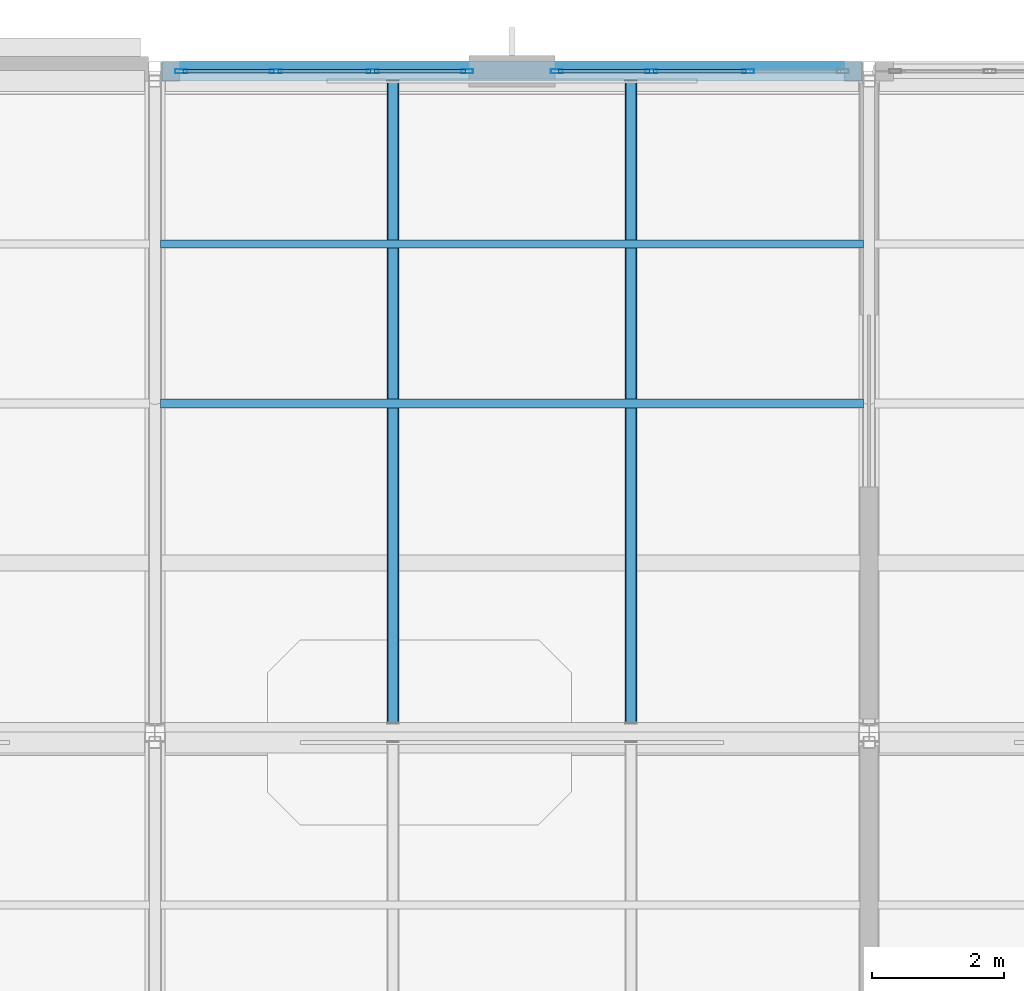
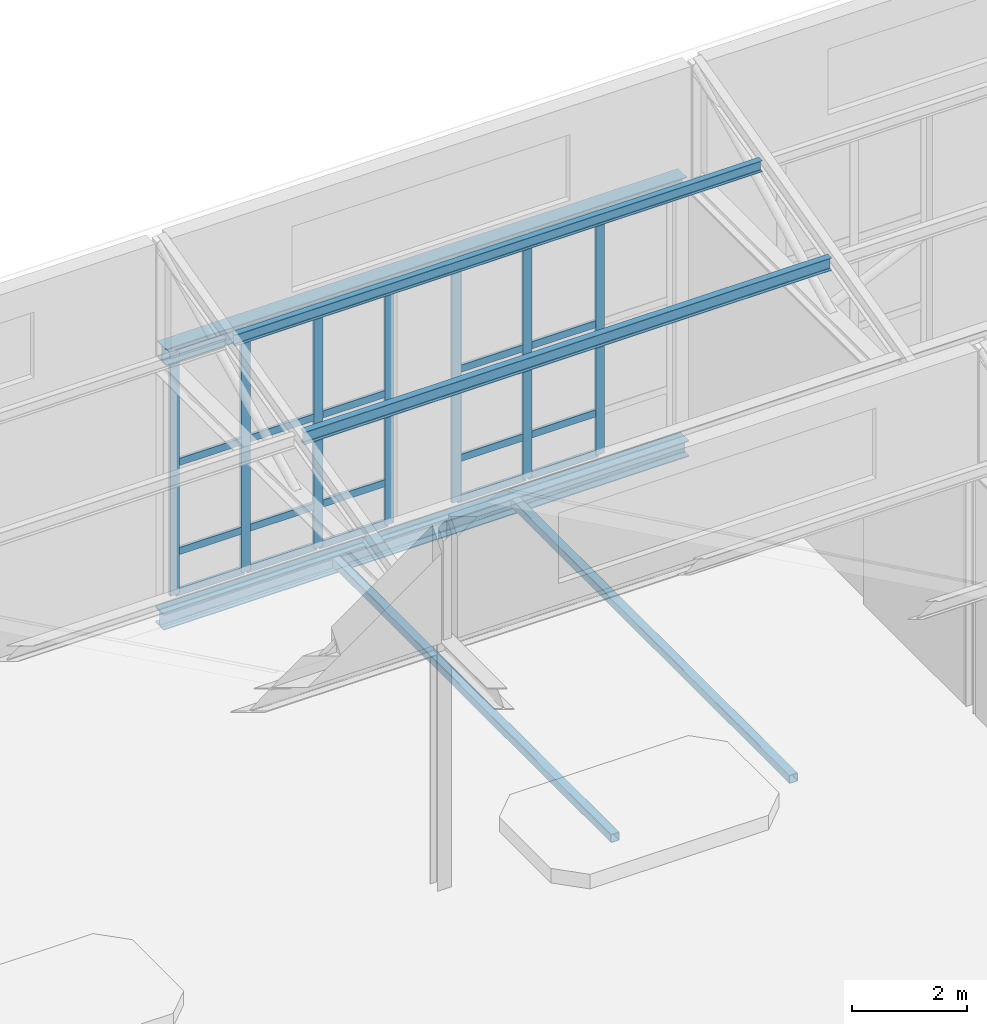
# One storey, part 24 of 49: 29 members, 4 beams, 2 elements without a shape of their own.
"""IFC4 building model written with IfcOpenShell, lengths in metres."""

from ifc_helpers import new_model, si_unit, direction, frame, origin, origin_2d, place, context, subcontext, project, spatial, hollow_rectangle, i_section, extrude, material, layer, layer_set, material_profile, profile_set, type_object, element, aggregate, save


model = new_model("IFC4")

# Units and contexts
model_context = context("Model", 3, precision=1e-05, world=origin(), true_north=direction((0.0, 1.0)))
body_context = subcontext(model_context, "Body", "Model", "MODEL_VIEW")
ifc_project = project(units=[si_unit("LENGTHUNIT", "METRE"), si_unit("AREAUNIT", "SQUARE_METRE"), si_unit("VOLUMEUNIT", "CUBIC_METRE"), si_unit("PLANEANGLEUNIT", "RADIAN"), si_unit("MASSUNIT", "GRAM", prefix="KILO")], contexts=[model_context])

# Site, building, storey
site_placement = place(None, origin())
site = spatial("IfcSite", under=ifc_project, at=site_placement, CompositionType="ELEMENT")
building_placement = place(site_placement, origin())
building = spatial("IfcBuilding", under=site, at=building_placement, Name="Tasgan Crest Museum", CompositionType="ELEMENT")
storey_placement = place(building_placement, frame((0.0, 0.0, 28.800048828125)))
storey = spatial("IfcBuildingStorey", under=building, at=storey_placement, Name="L05", CompositionType="ELEMENT", Elevation=28.800048828125)

# Beams
ifc_material_1 = material(Name="Steel S355J2", Category="steel")
ifc_material_profile_1 = material_profile(ifc_material_1, i_section(OverallWidth=0.300048828125, OverallDepth=0.35009765625, WebThickness=0.009521484375, FlangeThickness=0.017578125, FilletRadius=0.027099609375, at=origin_2d()), Name="HEA 360")
ifc_profile_set_1 = profile_set([ifc_material_profile_1], Name="Steel S355J2")
beam_type_1 = type_object("IfcBeamType", Name="BM-G-HEA360", PredefinedType="BEAM", material=ifc_profile_set_1)
beam_1_placement = place(storey_placement, frame((54.14990234375, 112.0, 5.219970703125), z_axis=(1.0, 0.0, 0.0), x_axis=(0.0, 1.0, 0.0)))
element("IfcBeam", 1, at=beam_1_placement, inside=storey, type_object=beam_type_1, Name="Sawtooth north eave girder 54.0-64.8", PredefinedType="BEAM", context=body_context, shape_type="SweptSolid", body=[
    extrude(i_section(OverallWidth=0.300048828125, OverallDepth=0.35009765625, WebThickness=0.009521484375, FlangeThickness=0.017578125, FilletRadius=0.027099609375, at=origin_2d()), origin(), (0.0, 0.0, 1.0), 10.5),
])
ifc_material_2 = material(Name="Steel S355J2", Category="steel")
ifc_material_profile_2 = material_profile(ifc_material_2, i_section(OverallWidth=0.300048828125, OverallDepth=0.340087890625, WebThickness=0.011962890625, FlangeThickness=0.021484375, FilletRadius=0.027099609375, at=origin_2d()), Name="HEB 340")
ifc_profile_set_2 = profile_set([ifc_material_profile_2], Name="Steel S355J2")
beam_type_2 = type_object("IfcBeamType", Name="BM-G-HEB340", PredefinedType="BEAM", material=ifc_profile_set_2)
beam_2_placement = place(storey_placement, frame((54.10595703125, 112.0, -0.41015625), z_axis=(1.0, 0.0, 0.0), x_axis=(0.0, 1.0, 0.0)))
element("IfcBeam", 2, at=beam_2_placement, inside=storey, type_object=beam_type_2, Name="Girder L05 M 54.0-64.8", PredefinedType="BEAM", context=body_context, shape_type="SweptSolid", body=[
    extrude(i_section(OverallWidth=0.300048828125, OverallDepth=0.340087890625, WebThickness=0.011962890625, FlangeThickness=0.021484375, FilletRadius=0.027099609375, at=origin_2d()), origin(), (0.0, 0.0, 1.0), 10.588134765625),
])
ifc_material_3 = material(Name="Steel S355J2", Category="steel")
ifc_material_profile_3 = material_profile(ifc_material_3, hollow_rectangle(XDim=0.179931640625, YDim=0.179931640625, WallThickness=0.010009765625, InnerFilletRadius=0.010009765625, OuterFilletRadius=0.02001953125, at=origin_2d()), Name="SHS 180x180x10")
ifc_profile_set_3 = profile_set([ifc_material_profile_3], Name="Steel S355J2")
beam_type_3 = type_object("IfcBeamType", Name="BM-J-SHS180", PredefinedType="JOIST", material=ifc_profile_set_3)
for number, where, z_axis, x_axis, name in (
    (3, (57.60009765625, 102.14501953125, -0.330078125), (0.0, 1.0, 0.0), (-1.0, 0.0, 0.0), "Secondary joist L05 X=57.6 Y=102.0-112.0"),
    (4, (61.199951171875, 102.14501953125, -0.330078125), (0.0, 1.0, 0.0), (-1.0, 0.0, 0.0), "Secondary joist L05 X=61.2 Y=102.0-112.0"),
):
    element("IfcBeam", number, at=place(storey_placement, frame(where, z_axis=z_axis, x_axis=x_axis)), inside=storey, type_object=beam_type_3, Name=name, PredefinedType="JOIST", context=body_context, shape_type="SweptSolid", body=[
        extrude(hollow_rectangle(XDim=0.179931640625, YDim=0.179931640625, WallThickness=0.010009765625, InnerFilletRadius=0.010009765625, OuterFilletRadius=0.02001953125, at=origin_2d()), origin(), (0.0, 0.0, 1.0), 9.7099609375),
    ])

# Curtain wall, members
ifc_material_4 = material(Name="Triple-Glazed Aluminium Curtain Wall", Category="aluminium")
ifc_layer = layer(ifc_material_4, 0.179931640625, Name="CW-CORE-STRIP-54")
ifc_layer_set = layer_set([ifc_layer], Name="Triple-Glazed Aluminium Curtain Wall")
curtain_wall_type = type_object("IfcCurtainWallType", Name="CW-CORE-STRIP-54", PredefinedType="NOTDEFINED", material=ifc_layer_set)
curtain_wall_1_placement = place(storey_placement, origin())
curtain_wall_1 = element("IfcCurtainWall", 5, at=curtain_wall_1_placement, inside=storey, type_object=curtain_wall_type, Name="Curtain wall L05 203", PredefinedType="NOTDEFINED")
ifc_material_5 = material(Name="Anodised Aluminium", Category="aluminium")
ifc_material_profile_4 = material_profile(ifc_material_5, hollow_rectangle(XDim=0.06494140625, YDim=0.179931640625, WallThickness=0.0048828125, at=origin_2d()), Name="ALU MULLION 180x65x5")
ifc_profile_set_4 = profile_set([ifc_material_profile_4], Name="Anodised Aluminium")
member_type_1 = type_object("IfcMemberType", Name="CW-MULLION-180", PredefinedType="MULLION", material=ifc_profile_set_4)
member_1_placement = place(storey_placement, frame((62.9716796875, 112.0, 0.0), z_axis=(0.0, 0.0, 1.0), x_axis=(0.0, -1.0, 0.0)))
member_1 = element("IfcMember", 6, at=member_1_placement, type_object=member_type_1, Name="CW21 mullion 2", PredefinedType="MULLION", context=body_context, shape_type="SweptSolid", body=[
    extrude(hollow_rectangle(XDim=0.06494140625, YDim=0.179931640625, WallThickness=0.0048828125, at=origin_2d()), origin(), (0.0, 0.0, 1.0), 5.159912109375),
])
member_2_placement = place(storey_placement, frame((61.50830078125, 112.0, 0.0), z_axis=(0.0, 0.0, 1.0), x_axis=(0.0, -1.0, 0.0)))
member_2 = element("IfcMember", 7, at=member_2_placement, type_object=member_type_1, Name="CW21 mullion 3", PredefinedType="MULLION", context=body_context, shape_type="SweptSolid", body=[
    extrude(hollow_rectangle(XDim=0.06494140625, YDim=0.179931640625, WallThickness=0.0048828125, at=origin_2d()), origin(), (0.0, 0.0, 1.0), 5.159912109375),
])
member_3_placement = place(storey_placement, frame((60.074951171875, 112.0, 0.0), z_axis=(0.0, 0.0, 1.0), x_axis=(0.0, -1.0, 0.0)))
member_3 = element("IfcMember", 8, at=member_3_placement, type_object=member_type_1, Name="CW21 mullion 4", PredefinedType="MULLION", context=body_context, shape_type="SweptSolid", body=[
    extrude(hollow_rectangle(XDim=0.06494140625, YDim=0.179931640625, WallThickness=0.0048828125, at=origin_2d()), origin(), (0.0, 0.0, 1.0), 5.159912109375),
])

curtain_wall_2_placement = place(storey_placement, origin())
curtain_wall_2 = element("IfcCurtainWall", 9, at=curtain_wall_2_placement, inside=storey, type_object=curtain_wall_type, Name="Curtain wall L05 204", PredefinedType="NOTDEFINED")
member_4_placement = place(storey_placement, frame((58.72509765625, 112.0, 0.0), z_axis=(0.0, 0.0, 1.0), x_axis=(0.0, -1.0, 0.0)))
member_4 = element("IfcMember", 10, at=member_4_placement, type_object=member_type_1, Name="CW21 mullion 1", PredefinedType="MULLION", context=body_context, shape_type="SweptSolid", body=[
    extrude(hollow_rectangle(XDim=0.06494140625, YDim=0.179931640625, WallThickness=0.0048828125, at=origin_2d()), origin(), (0.0, 0.0, 1.0), 5.159912109375),
])
member_5_placement = place(storey_placement, frame((57.291748046875, 112.0, 0.0), z_axis=(0.0, 0.0, 1.0), x_axis=(0.0, -1.0, 0.0)))
member_5 = element("IfcMember", 11, at=member_5_placement, type_object=member_type_1, Name="CW21 mullion 2", PredefinedType="MULLION", context=body_context, shape_type="SweptSolid", body=[
    extrude(hollow_rectangle(XDim=0.06494140625, YDim=0.179931640625, WallThickness=0.0048828125, at=origin_2d()), origin(), (0.0, 0.0, 1.0), 5.159912109375),
])
member_6_placement = place(storey_placement, frame((55.828369140625, 112.0, 0.0), z_axis=(0.0, 0.0, 1.0), x_axis=(0.0, -1.0, 0.0)))
member_6 = element("IfcMember", 12, at=member_6_placement, type_object=member_type_1, Name="CW21 mullion 3", PredefinedType="MULLION", context=body_context, shape_type="SweptSolid", body=[
    extrude(hollow_rectangle(XDim=0.06494140625, YDim=0.179931640625, WallThickness=0.0048828125, at=origin_2d()), origin(), (0.0, 0.0, 1.0), 5.159912109375),
])
member_7_placement = place(storey_placement, frame((54.39501953125, 112.0, 0.0), z_axis=(0.0, 0.0, 1.0), x_axis=(0.0, -1.0, 0.0)))
member_7 = element("IfcMember", 13, at=member_7_placement, type_object=member_type_1, Name="CW21 mullion 4", PredefinedType="MULLION", context=body_context, shape_type="SweptSolid", body=[
    extrude(hollow_rectangle(XDim=0.06494140625, YDim=0.179931640625, WallThickness=0.0048828125, at=origin_2d()), origin(), (0.0, 0.0, 1.0), 5.159912109375),
])

# Member
ifc_material_6 = material(Name="Anodised Aluminium", Category="aluminium")
ifc_material_profile_5 = material_profile(ifc_material_6, hollow_rectangle(XDim=0.06005859375, YDim=0.14990234375, WallThickness=0.0048828125, at=origin_2d()), Name="ALU TRANSOM 150x60x5")
ifc_profile_set_5 = profile_set([ifc_material_profile_5], Name="Anodised Aluminium")
member_type_2 = type_object("IfcMemberType", Name="CW-TRANSOM-150", PredefinedType="USERDEFINED", material=ifc_profile_set_5)
member_8_placement = place(storey_placement, frame((62.941650390625, 112.0, 0.030029296875), z_axis=(-1.0, 0.0, 0.0), x_axis=(0.0, -1.0, 0.0)))
member_8 = element("IfcMember", 14, at=member_8_placement, type_object=member_type_2, Name="CW21 transom 2.1", ObjectType="TRANSOM", PredefinedType="USERDEFINED", context=body_context, shape_type="SweptSolid", body=[
    extrude(hollow_rectangle(XDim=0.06005859375, YDim=0.14990234375, WallThickness=0.0048828125, at=origin_2d()), origin(), (0.0, 0.0, 1.0), 1.4033203125),
])

member_9_placement = place(storey_placement, frame((62.941650390625, 112.0, 0.89990234375), z_axis=(-1.0, 0.0, 0.0), x_axis=(0.0, -1.0, 0.0)))
member_9 = element("IfcMember", 15, at=member_9_placement, type_object=member_type_2, Name="CW21 transom 2.2", ObjectType="TRANSOM", PredefinedType="USERDEFINED", context=body_context, shape_type="SweptSolid", body=[
    extrude(hollow_rectangle(XDim=0.06005859375, YDim=0.14990234375, WallThickness=0.0048828125, at=origin_2d()), origin(), (0.0, 0.0, 1.0), 1.4033203125),
])

member_10_placement = place(storey_placement, frame((62.941650390625, 112.0, 2.800048828125), z_axis=(-1.0, 0.0, 0.0), x_axis=(0.0, -1.0, 0.0)))
member_10 = element("IfcMember", 16, at=member_10_placement, type_object=member_type_2, Name="CW21 transom 2.3", ObjectType="TRANSOM", PredefinedType="USERDEFINED", context=body_context, shape_type="SweptSolid", body=[
    extrude(hollow_rectangle(XDim=0.06005859375, YDim=0.14990234375, WallThickness=0.0048828125, at=origin_2d()), origin(), (0.0, 0.0, 1.0), 1.4033203125),
])

member_11_placement = place(storey_placement, frame((62.941650390625, 112.0, 5.1298828125), z_axis=(-1.0, 0.0, 0.0), x_axis=(0.0, -1.0, 0.0)))
member_11 = element("IfcMember", 17, at=member_11_placement, type_object=member_type_2, Name="CW21 transom 2.4", ObjectType="TRANSOM", PredefinedType="USERDEFINED", context=body_context, shape_type="SweptSolid", body=[
    extrude(hollow_rectangle(XDim=0.06005859375, YDim=0.14990234375, WallThickness=0.0048828125, at=origin_2d()), origin(), (0.0, 0.0, 1.0), 1.4033203125),
])

member_12_placement = place(storey_placement, frame((61.478271484375, 112.0, 0.030029296875), z_axis=(-1.0, 0.0, 0.0), x_axis=(0.0, -1.0, 0.0)))
member_12 = element("IfcMember", 18, at=member_12_placement, type_object=member_type_2, Name="CW21 transom 3.1", ObjectType="TRANSOM", PredefinedType="USERDEFINED", context=body_context, shape_type="SweptSolid", body=[
    extrude(hollow_rectangle(XDim=0.06005859375, YDim=0.14990234375, WallThickness=0.0048828125, at=origin_2d()), origin(), (0.0, 0.0, 1.0), 1.373291015625),
])

member_13_placement = place(storey_placement, frame((61.478271484375, 112.0, 0.89990234375), z_axis=(-1.0, 0.0, 0.0), x_axis=(0.0, -1.0, 0.0)))
member_13 = element("IfcMember", 19, at=member_13_placement, type_object=member_type_2, Name="CW21 transom 3.2", ObjectType="TRANSOM", PredefinedType="USERDEFINED", context=body_context, shape_type="SweptSolid", body=[
    extrude(hollow_rectangle(XDim=0.06005859375, YDim=0.14990234375, WallThickness=0.0048828125, at=origin_2d()), origin(), (0.0, 0.0, 1.0), 1.373291015625),
])

member_14_placement = place(storey_placement, frame((61.478271484375, 112.0, 2.800048828125), z_axis=(-1.0, 0.0, 0.0), x_axis=(0.0, -1.0, 0.0)))
member_14 = element("IfcMember", 20, at=member_14_placement, type_object=member_type_2, Name="CW21 transom 3.3", ObjectType="TRANSOM", PredefinedType="USERDEFINED", context=body_context, shape_type="SweptSolid", body=[
    extrude(hollow_rectangle(XDim=0.06005859375, YDim=0.14990234375, WallThickness=0.0048828125, at=origin_2d()), origin(), (0.0, 0.0, 1.0), 1.373291015625),
])

member_15_placement = place(storey_placement, frame((61.478271484375, 112.0, 5.1298828125), z_axis=(-1.0, 0.0, 0.0), x_axis=(0.0, -1.0, 0.0)))
member_15 = element("IfcMember", 21, at=member_15_placement, type_object=member_type_2, Name="CW21 transom 3.4", ObjectType="TRANSOM", PredefinedType="USERDEFINED", context=body_context, shape_type="SweptSolid", body=[
    extrude(hollow_rectangle(XDim=0.06005859375, YDim=0.14990234375, WallThickness=0.0048828125, at=origin_2d()), origin(), (0.0, 0.0, 1.0), 1.373291015625),
])

aggregate(curtain_wall_1, [member_1, member_2, member_3, member_8, member_9, member_10, member_11, member_12, member_13, member_14, member_15])

member_16_placement = place(storey_placement, frame((58.695068359375, 112.0, 0.030029296875), z_axis=(-1.0, 0.0, 0.0), x_axis=(0.0, -1.0, 0.0)))
member_16 = element("IfcMember", 22, at=member_16_placement, type_object=member_type_2, Name="CW21 transom 1.1", ObjectType="TRANSOM", PredefinedType="USERDEFINED", context=body_context, shape_type="SweptSolid", body=[
    extrude(hollow_rectangle(XDim=0.06005859375, YDim=0.14990234375, WallThickness=0.0048828125, at=origin_2d()), origin(), (0.0, 0.0, 1.0), 1.373291015625),
])

member_17_placement = place(storey_placement, frame((58.695068359375, 112.0, 0.89990234375), z_axis=(-1.0, 0.0, 0.0), x_axis=(0.0, -1.0, 0.0)))
member_17 = element("IfcMember", 23, at=member_17_placement, type_object=member_type_2, Name="CW21 transom 1.2", ObjectType="TRANSOM", PredefinedType="USERDEFINED", context=body_context, shape_type="SweptSolid", body=[
    extrude(hollow_rectangle(XDim=0.06005859375, YDim=0.14990234375, WallThickness=0.0048828125, at=origin_2d()), origin(), (0.0, 0.0, 1.0), 1.373291015625),
])

member_18_placement = place(storey_placement, frame((58.695068359375, 112.0, 2.800048828125), z_axis=(-1.0, 0.0, 0.0), x_axis=(0.0, -1.0, 0.0)))
member_18 = element("IfcMember", 24, at=member_18_placement, type_object=member_type_2, Name="CW21 transom 1.3", ObjectType="TRANSOM", PredefinedType="USERDEFINED", context=body_context, shape_type="SweptSolid", body=[
    extrude(hollow_rectangle(XDim=0.06005859375, YDim=0.14990234375, WallThickness=0.0048828125, at=origin_2d()), origin(), (0.0, 0.0, 1.0), 1.373291015625),
])

member_19_placement = place(storey_placement, frame((58.695068359375, 112.0, 5.1298828125), z_axis=(-1.0, 0.0, 0.0), x_axis=(0.0, -1.0, 0.0)))
member_19 = element("IfcMember", 25, at=member_19_placement, type_object=member_type_2, Name="CW21 transom 1.4", ObjectType="TRANSOM", PredefinedType="USERDEFINED", context=body_context, shape_type="SweptSolid", body=[
    extrude(hollow_rectangle(XDim=0.06005859375, YDim=0.14990234375, WallThickness=0.0048828125, at=origin_2d()), origin(), (0.0, 0.0, 1.0), 1.373291015625),
])

member_20_placement = place(storey_placement, frame((57.26171875, 112.0, 0.030029296875), z_axis=(-1.0, 0.0, 0.0), x_axis=(0.0, -1.0, 0.0)))
member_20 = element("IfcMember", 26, at=member_20_placement, type_object=member_type_2, Name="CW21 transom 2.1", ObjectType="TRANSOM", PredefinedType="USERDEFINED", context=body_context, shape_type="SweptSolid", body=[
    extrude(hollow_rectangle(XDim=0.06005859375, YDim=0.14990234375, WallThickness=0.0048828125, at=origin_2d()), origin(), (0.0, 0.0, 1.0), 1.4033203125),
])

member_21_placement = place(storey_placement, frame((57.26171875, 112.0, 0.89990234375), z_axis=(-1.0, 0.0, 0.0), x_axis=(0.0, -1.0, 0.0)))
member_21 = element("IfcMember", 27, at=member_21_placement, type_object=member_type_2, Name="CW21 transom 2.2", ObjectType="TRANSOM", PredefinedType="USERDEFINED", context=body_context, shape_type="SweptSolid", body=[
    extrude(hollow_rectangle(XDim=0.06005859375, YDim=0.14990234375, WallThickness=0.0048828125, at=origin_2d()), origin(), (0.0, 0.0, 1.0), 1.4033203125),
])

member_22_placement = place(storey_placement, frame((57.26171875, 112.0, 2.800048828125), z_axis=(-1.0, 0.0, 0.0), x_axis=(0.0, -1.0, 0.0)))
member_22 = element("IfcMember", 28, at=member_22_placement, type_object=member_type_2, Name="CW21 transom 2.3", ObjectType="TRANSOM", PredefinedType="USERDEFINED", context=body_context, shape_type="SweptSolid", body=[
    extrude(hollow_rectangle(XDim=0.06005859375, YDim=0.14990234375, WallThickness=0.0048828125, at=origin_2d()), origin(), (0.0, 0.0, 1.0), 1.4033203125),
])

member_23_placement = place(storey_placement, frame((57.26171875, 112.0, 5.1298828125), z_axis=(-1.0, 0.0, 0.0), x_axis=(0.0, -1.0, 0.0)))
member_23 = element("IfcMember", 29, at=member_23_placement, type_object=member_type_2, Name="CW21 transom 2.4", ObjectType="TRANSOM", PredefinedType="USERDEFINED", context=body_context, shape_type="SweptSolid", body=[
    extrude(hollow_rectangle(XDim=0.06005859375, YDim=0.14990234375, WallThickness=0.0048828125, at=origin_2d()), origin(), (0.0, 0.0, 1.0), 1.4033203125),
])

member_24_placement = place(storey_placement, frame((55.79833984375, 112.0, 0.030029296875), z_axis=(-1.0, 0.0, 0.0), x_axis=(0.0, -1.0, 0.0)))
member_24 = element("IfcMember", 30, at=member_24_placement, type_object=member_type_2, Name="CW21 transom 3.1", ObjectType="TRANSOM", PredefinedType="USERDEFINED", context=body_context, shape_type="SweptSolid", body=[
    extrude(hollow_rectangle(XDim=0.06005859375, YDim=0.14990234375, WallThickness=0.0048828125, at=origin_2d()), origin(), (0.0, 0.0, 1.0), 1.373291015625),
])

member_25_placement = place(storey_placement, frame((55.79833984375, 112.0, 0.89990234375), z_axis=(-1.0, 0.0, 0.0), x_axis=(0.0, -1.0, 0.0)))
member_25 = element("IfcMember", 31, at=member_25_placement, type_object=member_type_2, Name="CW21 transom 3.2", ObjectType="TRANSOM", PredefinedType="USERDEFINED", context=body_context, shape_type="SweptSolid", body=[
    extrude(hollow_rectangle(XDim=0.06005859375, YDim=0.14990234375, WallThickness=0.0048828125, at=origin_2d()), origin(), (0.0, 0.0, 1.0), 1.373291015625),
])

member_26_placement = place(storey_placement, frame((55.79833984375, 112.0, 2.800048828125), z_axis=(-1.0, 0.0, 0.0), x_axis=(0.0, -1.0, 0.0)))
member_26 = element("IfcMember", 32, at=member_26_placement, type_object=member_type_2, Name="CW21 transom 3.3", ObjectType="TRANSOM", PredefinedType="USERDEFINED", context=body_context, shape_type="SweptSolid", body=[
    extrude(hollow_rectangle(XDim=0.06005859375, YDim=0.14990234375, WallThickness=0.0048828125, at=origin_2d()), origin(), (0.0, 0.0, 1.0), 1.373291015625),
])

member_27_placement = place(storey_placement, frame((55.79833984375, 112.0, 5.1298828125), z_axis=(-1.0, 0.0, 0.0), x_axis=(0.0, -1.0, 0.0)))
member_27 = element("IfcMember", 33, at=member_27_placement, type_object=member_type_2, Name="CW21 transom 3.4", ObjectType="TRANSOM", PredefinedType="USERDEFINED", context=body_context, shape_type="SweptSolid", body=[
    extrude(hollow_rectangle(XDim=0.06005859375, YDim=0.14990234375, WallThickness=0.0048828125, at=origin_2d()), origin(), (0.0, 0.0, 1.0), 1.373291015625),
])

aggregate(curtain_wall_2, [member_4, member_5, member_6, member_7, member_16, member_17, member_18, member_19, member_20, member_21, member_22, member_23, member_24, member_25, member_26, member_27])

# Members
ifc_material_7 = material(Name="Steel S355J2", Category="steel")
ifc_material_profile_6 = material_profile(ifc_material_7, i_section(OverallWidth=0.1201171875, OverallDepth=0.239990234375, WebThickness=0.006103515625, FlangeThickness=0.009765625, FilletRadius=0.014892578125, at=origin_2d()), Name="IPE 240")
ifc_profile_set_6 = profile_set([ifc_material_profile_6], Name="Steel S355J2")
member_type_3 = type_object("IfcMemberType", Name="MEM-PURLIN-240", PredefinedType="PURLIN", material=ifc_profile_set_6)
member_28_placement = place(storey_placement, frame((54.0849609375, 109.387451171875, 7.1298828125), z_axis=(1.0, 0.0, 0.0), x_axis=(0.0, 1.0, 0.0)))
element("IfcMember", 34, at=member_28_placement, inside=storey, type_object=member_type_3, Name="Sawtooth roof purlin B3 54.0-64.8 P3", PredefinedType="PURLIN", context=body_context, shape_type="SweptSolid", body=[
    extrude(i_section(OverallWidth=0.1201171875, OverallDepth=0.239990234375, WebThickness=0.006103515625, FlangeThickness=0.009765625, FilletRadius=0.014892578125, at=origin_2d()), origin(), (0.0, 0.0, 1.0), 10.630126953125),
])
ifc_material_8 = material(Name="Steel S355J2", Category="steel")
ifc_material_profile_7 = material_profile(ifc_material_8, i_section(OverallWidth=0.135009765625, OverallDepth=0.27001953125, WebThickness=0.006591796875, FlangeThickness=0.01025390625, FilletRadius=0.014892578125, at=origin_2d()), Name="IPE 270")
ifc_profile_set_7 = profile_set([ifc_material_profile_7], Name="Steel S355J2")
member_type_4 = type_object("IfcMemberType", Name="MEM-PURLIN-270", PredefinedType="PURLIN", material=ifc_profile_set_7)
member_29_placement = place(storey_placement, frame((54.0849609375, 106.97509765625, 6.510009765625), z_axis=(1.0, 0.0, 0.0), x_axis=(0.0, 1.0, 0.0)))
element("IfcMember", 35, at=member_29_placement, inside=storey, type_object=member_type_4, Name="Sawtooth roof purlin B3 54.0-64.8 P2", PredefinedType="PURLIN", context=body_context, shape_type="SweptSolid", body=[
    extrude(i_section(OverallWidth=0.135009765625, OverallDepth=0.27001953125, WebThickness=0.006591796875, FlangeThickness=0.01025390625, FilletRadius=0.014892578125, at=origin_2d()), origin(), (0.0, 0.0, 1.0), 10.630126953125),
])

save(model, "model.ifc")
